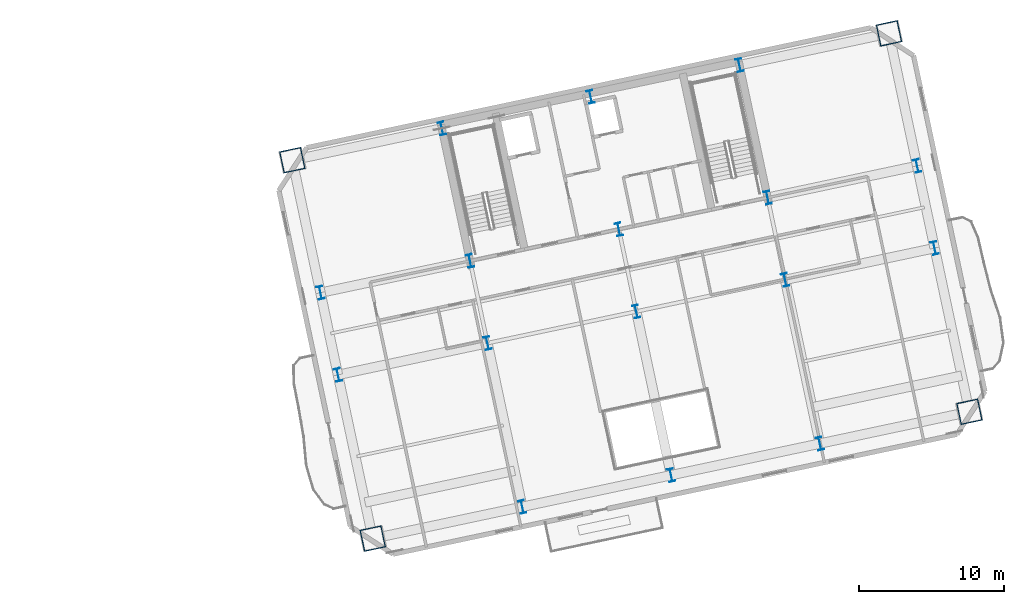
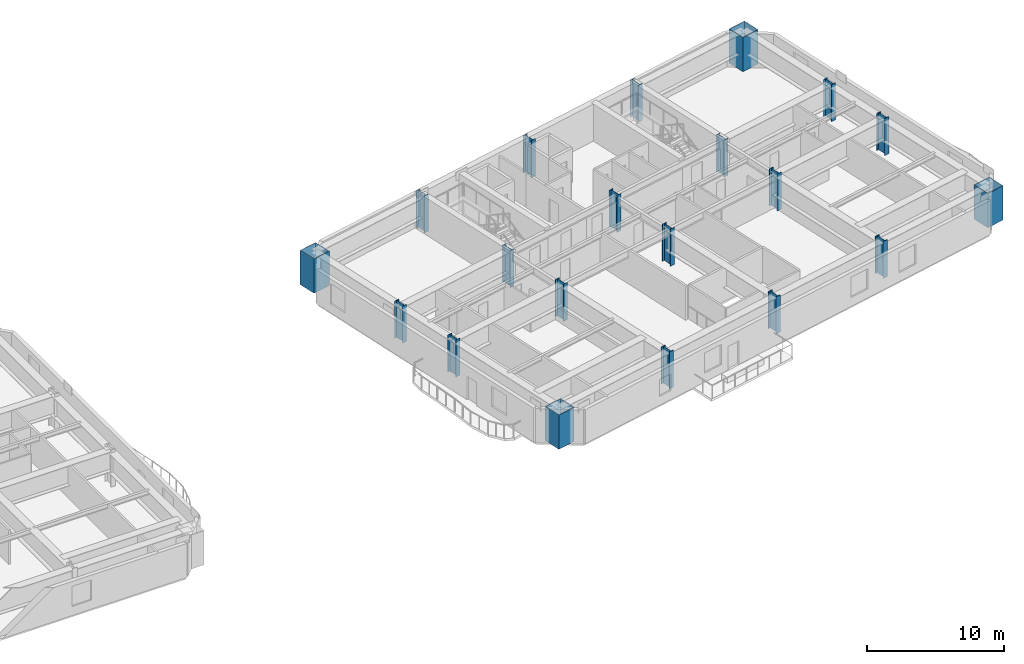
# One storey, part 2 of 16: 20 columns.
"""IFC4 building model written with IfcOpenShell, lengths in metres."""

from ifc_helpers import new_model, si_unit, direction, frame, origin, origin_2d, place, context, subcontext, project, spatial, hollow_rectangle, i_section, extrude, material, material_profile, profile_set, type_object, element, save


model = new_model("IFC4")

# Units and contexts
model_context = context("Model", 3, precision=1e-05, world=origin(), true_north=direction((0.0, 1.0)))
body_context = subcontext(model_context, "Body", "Model", "MODEL_VIEW")
ifc_project = project(units=[si_unit("LENGTHUNIT", "METRE"), si_unit("AREAUNIT", "SQUARE_METRE"), si_unit("VOLUMEUNIT", "CUBIC_METRE"), si_unit("PLANEANGLEUNIT", "RADIAN"), si_unit("MASSUNIT", "GRAM", prefix="KILO")], contexts=[model_context])

# Site, building, storey
site_placement = place(None, origin())
site = spatial("IfcSite", under=ifc_project, at=site_placement, CompositionType="ELEMENT")
building_placement = place(site_placement, origin())
building = spatial("IfcBuilding", under=site, at=building_placement, Name="Haevon Station Towers", CompositionType="ELEMENT")
storey_placement = place(building_placement, frame((0.0, 0.0, 90.0)))
storey = spatial("IfcBuildingStorey", under=building, at=storey_placement, Name="L23", CompositionType="ELEMENT", Elevation=90.0)

# Columns
ifc_material = material(Name="Steel S460", Category="steel")
ifc_material_profile_1 = material_profile(ifc_material, hollow_rectangle(XDim=1.5, YDim=1.5, WallThickness=0.0400390625, at=origin_2d()), Name="BOX-1500x1500x40")
ifc_profile_set_1 = profile_set([ifc_material_profile_1], Name="Steel S460")
column_type_1 = type_object("IfcColumnType", Name="COL-MC2", PredefinedType="COLUMN", material=ifc_profile_set_1)
for number, where, z_axis, x_axis, name in (
    (1, (92.040283203125, 18.278076171875, 0.0), (0.0, 0.0, 1.0), (0.978147600734, 0.207911690818, 0.0), "COL-T2-L23-01-01"),
    (2, (86.489013671875, 44.39453125, 0.0), (0.0, 0.0, 1.0), (0.978147600734, 0.207911690818, 0.0), "COL-T2-L23-01-04"),
    (3, (133.22021484375, 27.03125, 0.0), (0.0, 0.0, 1.0), (0.978147600734, 0.207911690818, 0.0), "COL-T2-L23-05-01"),
    (4, (127.6689453125, 53.147705078125, 0.0), (0.0, 0.0, 1.0), (0.978147600734, 0.207911690818, 0.0), "COL-T2-L23-05-04"),
):
    element("IfcColumn", number, at=place(storey_placement, frame(where, z_axis=z_axis, x_axis=x_axis)), inside=storey, type_object=column_type_1, Name=name, PredefinedType="COLUMN", context=body_context, shape_type="SweptSolid", body=[
        extrude(hollow_rectangle(XDim=1.5, YDim=1.5, WallThickness=0.0400390625, at=origin_2d()), origin(), (0.0, 0.0, 1.0), 3.050048828125),
    ])
ifc_material_profile_2 = material_profile(ifc_material, i_section(OverallWidth=0.39990234375, OverallDepth=0.89990234375, WebThickness=0.02001953125, FlangeThickness=0.035888671875, at=origin_2d()), Name="H-900x400x20x36")
ifc_profile_set_2 = profile_set([ifc_material_profile_2], Name="Steel S460")
column_type_2 = type_object("IfcColumnType", Name="COL-TW1", PredefinedType="COLUMN", material=ifc_profile_set_2)
for number, where, z_axis, x_axis, name in (
    (5, (89.638671875, 29.57568359375, 0.0), (0.0, 0.0, 1.0), (0.978147600734, 0.207911690818, 0.0), "COL-T2-L23-01-02"),
    (6, (88.432861328125, 35.2490234375, 0.0), (0.0, 0.0, 1.0), (0.978147600734, 0.207911690818, 0.0), "COL-T2-L23-01-03"),
    (7, (102.359619140625, 20.471435546875, 0.0), (0.0, 0.0, 1.0), (0.978147600734, 0.207911690818, 0.0), "COL-T2-L23-02-01"),
    (8, (99.958251953125, 31.76904296875, 0.0), (0.0, 0.0, 1.0), (0.978147600734, 0.207911690818, 0.0), "COL-T2-L23-02-02"),
    (9, (98.75244140625, 37.4423828125, 0.0), (0.0, 0.0, 1.0), (0.978147600734, 0.207911690818, 0.0), "COL-T2-L23-02-03"),
    (10, (96.808349609375, 46.588134765625, 0.0), (0.0, 0.0, 1.0), (0.978147600734, 0.207911690818, 0.0), "COL-T2-L23-02-04"),
    (11, (112.630126953125, 22.654541015625, 0.0), (0.0, 0.0, 1.0), (0.978147600734, 0.207911690818, 0.0), "COL-T2-L23-03-01"),
    (12, (110.228759765625, 33.9521484375, 0.0), (0.0, 0.0, 1.0), (0.978147600734, 0.207911690818, 0.0), "COL-T2-L23-03-02"),
    (13, (109.02294921875, 39.62548828125, 0.0), (0.0, 0.0, 1.0), (0.978147600734, 0.207911690818, 0.0), "COL-T2-L23-03-03"),
    (14, (107.078857421875, 48.771240234375, 0.0), (0.0, 0.0, 1.0), (0.978147600734, 0.207911690818, 0.0), "COL-T2-L23-03-04"),
    (15, (122.900634765625, 24.837646484375, 0.0), (0.0, 0.0, 1.0), (0.978147600734, 0.207911690818, 0.0), "COL-T2-L23-04-01"),
    (16, (120.499267578125, 36.13525390625, 0.0), (0.0, 0.0, 1.0), (0.978147600734, 0.207911690818, 0.0), "COL-T2-L23-04-02"),
    (17, (119.29345703125, 41.80859375, 0.0), (0.0, 0.0, 1.0), (0.978147600734, 0.207911690818, 0.0), "COL-T2-L23-04-03"),
    (18, (117.349365234375, 50.954345703125, 0.0), (0.0, 0.0, 1.0), (0.978147600734, 0.207911690818, 0.0), "COL-T2-L23-04-04"),
    (19, (130.81884765625, 38.328857421875, 0.0), (0.0, 0.0, 1.0), (0.978147600734, 0.207911690818, 0.0), "COL-T2-L23-05-02"),
    (20, (129.61279296875, 44.001953125, 0.0), (0.0, 0.0, 1.0), (0.978147600734, 0.207911690818, 0.0), "COL-T2-L23-05-03"),
):
    element("IfcColumn", number, at=place(storey_placement, frame(where, z_axis=z_axis, x_axis=x_axis)), inside=storey, type_object=column_type_2, Name=name, PredefinedType="COLUMN", context=body_context, shape_type="SweptSolid", body=[
        extrude(i_section(OverallWidth=0.39990234375, OverallDepth=0.89990234375, WebThickness=0.02001953125, FlangeThickness=0.035888671875, at=origin_2d()), origin(), (0.0, 0.0, 1.0), 3.300048828125),
    ])

save(model, "model.ifc")
